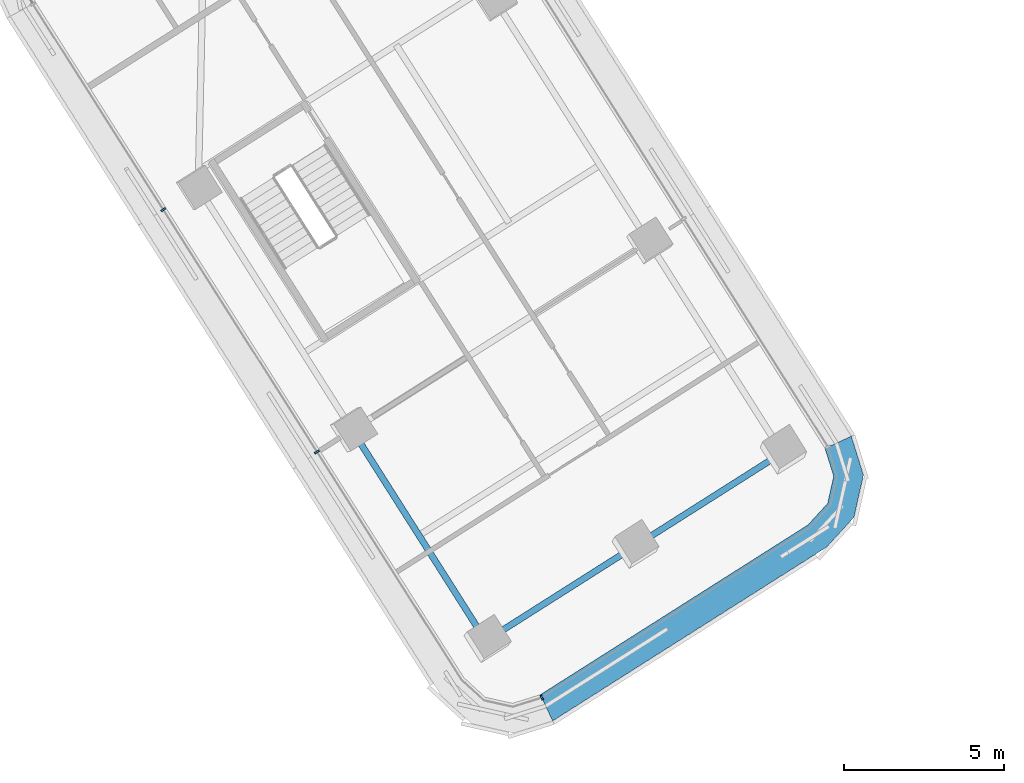
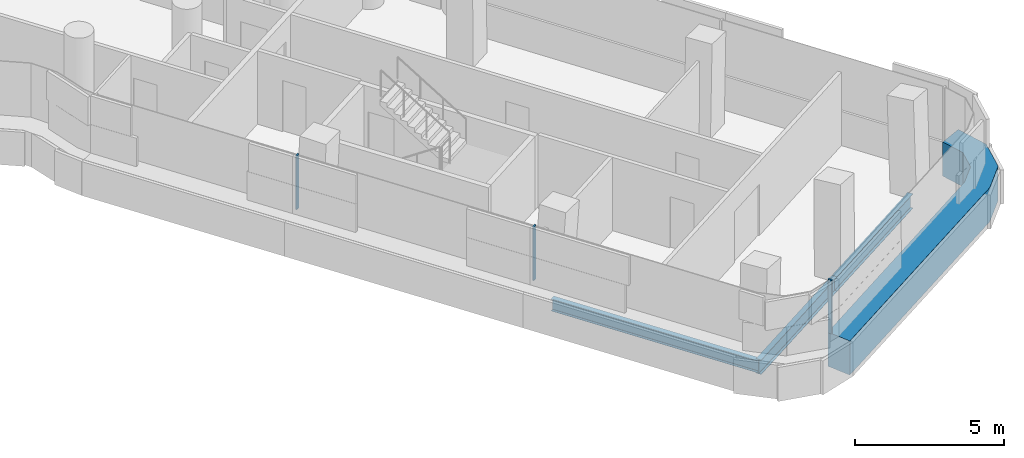
# One storey, part 3 of 36: 4 members, 3 beams, 2 elements without a shape of their own.
"""IFC4 building model written with IfcOpenShell, lengths in metres."""

from ifc_helpers import new_model, si_unit, direction, frame, origin, origin_2d, place, context, subcontext, project, spatial, polyline, rectangle, i_section, outline, extrude, material, layer, layer_set, material_profile, profile_set, type_object, element, aggregate, save


model = new_model("IFC4")

# Units and contexts
model_context = context("Model", 3, precision=1e-05, world=origin(), true_north=direction((0.0, 1.0)))
body_context = subcontext(model_context, "Body", "Model", "MODEL_VIEW")
ifc_project = project(units=[si_unit("LENGTHUNIT", "METRE"), si_unit("AREAUNIT", "SQUARE_METRE"), si_unit("VOLUMEUNIT", "CUBIC_METRE"), si_unit("PLANEANGLEUNIT", "RADIAN"), si_unit("MASSUNIT", "GRAM", prefix="KILO")], contexts=[model_context])

# Site, building, storey
site_placement = place(None, origin())
site = spatial("IfcSite", under=ifc_project, at=site_placement, CompositionType="ELEMENT")
building_placement = place(site_placement, origin())
building = spatial("IfcBuilding", under=site, at=building_placement, Name="Tamarind Cross Interchange Tower", CompositionType="ELEMENT")
storey_placement = place(building_placement, frame((0.0, 0.0, 151.75)))
storey = spatial("IfcBuildingStorey", under=building, at=storey_placement, Name="L37", CompositionType="ELEMENT", Elevation=151.75)

# Beams
ifc_material_1 = material(Name="Steel Q355B", Category="steel")
ifc_material_profile_1 = material_profile(ifc_material_1, i_section(OverallWidth=0.198974609375, OverallDepth=0.49609375, WebThickness=0.009033203125, FlangeThickness=0.013916015625, FilletRadius=0.012939453125, at=origin_2d()), Name="HN 496x199x9x14")
ifc_profile_set_1 = profile_set([ifc_material_profile_1], Name="Steel Q355B")
beam_type_1 = type_object("IfcBeamType", Name="Composite beam HN 496x199x9x14 Q355B", PredefinedType="BEAM", material=ifc_profile_set_1)
beam_1_placement = place(storey_placement, frame((8.811279296875, -46.157958984375, -0.387939453125), z_axis=(-0.53567290687, 0.844425566196, 0.0), x_axis=(-0.844425566196, -0.53567290687, 0.0)))
element("IfcBeam", 1, at=beam_1_placement, inside=storey, type_object=beam_type_1, Name="Beam S-edgeem5", PredefinedType="BEAM", context=body_context, shape_type="SweptSolid", body=[
    extrude(i_section(OverallWidth=0.198974609375, OverallDepth=0.49609375, WebThickness=0.009033203125, FlangeThickness=0.013916015625, FilletRadius=0.012939453125, at=origin_2d()), origin(), (0.0, 0.0, 1.0), 7.819580078125),
])
ifc_material_profile_2 = material_profile(ifc_material_1, i_section(OverallWidth=0.199951171875, OverallDepth=0.60009765625, WebThickness=0.010986328125, FlangeThickness=0.01708984375, FilletRadius=0.012939453125, at=origin_2d()), Name="HN 600x200x11x17")
ifc_profile_set_2 = profile_set([ifc_material_profile_2], Name="Steel Q355B")
beam_type_2 = type_object("IfcBeamType", Name="Composite beam HN 600x200x11x17 Q355B", PredefinedType="BEAM", material=ifc_profile_set_2)
beam_2_placement = place(storey_placement, frame((8.811279296875, -46.157958984375, -0.43994140625), z_axis=(0.844435610152, 0.535657073422, 0.0), x_axis=(-0.535657073422, 0.844435610152, 0.0)))
element("IfcBeam", 2, at=beam_2_placement, inside=storey, type_object=beam_type_2, Name="Beam S-tip0", PredefinedType="BEAM", context=body_context, shape_type="SweptSolid", body=[
    extrude(i_section(OverallWidth=0.199951171875, OverallDepth=0.60009765625, WebThickness=0.010986328125, FlangeThickness=0.01708984375, FilletRadius=0.012939453125, at=origin_2d()), origin(), (0.0, 0.0, 1.0), 5.499755859375),
])
beam_3_placement = place(storey_placement, frame((13.45556640625, -43.2119140625, -0.43994140625), z_axis=(0.844448346262, 0.535636995077, 0.0), x_axis=(-0.535636995077, 0.844448346262, 0.0)))
element("IfcBeam", 3, at=beam_3_placement, inside=storey, type_object=beam_type_2, Name="Beam S-tip1", PredefinedType="BEAM", context=body_context, shape_type="SweptSolid", body=[
    extrude(i_section(OverallWidth=0.199951171875, OverallDepth=0.60009765625, WebThickness=0.010986328125, FlangeThickness=0.01708984375, FilletRadius=0.012939453125, at=origin_2d()), origin(), (0.0, 0.0, 1.0), 5.5),
])

# Curtain wall, member
ifc_material_2 = material(Name="Aluminium 6063-T6", Category="aluminium")
ifc_layer = layer(ifc_material_2, 0.159912109375)
ifc_layer_set = layer_set([ifc_layer], Name="Aluminium 6063-T6")
curtain_wall_type = type_object("IfcCurtainWallType", Name="Office curtain wall, 9.0 m bays", PredefinedType="NOTDEFINED", material=ifc_layer_set)
curtain_wall_1_placement = place(storey_placement, origin())
curtain_wall_1 = element("IfcCurtainWall", 4, at=curtain_wall_1_placement, inside=storey, type_object=curtain_wall_type, Name="CWS-L37-08", PredefinedType="NOTDEFINED")
ifc_material_3 = material(Name="Aluminium and insulated spandrel panel", Category="aluminium")
member_type_1 = type_object("IfcMemberType", Name="Floor-edge blade transom", PredefinedType="USERDEFINED", material=ifc_material_3)
member_1_placement = place(storey_placement, origin())
member_1 = element("IfcMember", 5, at=member_1_placement, type_object=member_type_1, Name="CWT-L37-08", ObjectType="TRANSOM", PredefinedType="USERDEFINED", context=body_context, shape_type="SweptSolid", body=[
    extrude(outline(polyline([(10.520263671875, -47.844970703125), (18.89794921875, -42.53076171875), (19.517578125, -41.85693359375), (19.70849609375, -41.003662109375), (19.43505859375, -40.1298828125), (20.2587890625, -39.74853515625), (20.6396484375, -40.96484375), (20.34326171875, -42.288818359375), (19.47998046875, -43.227294921875), (10.90234375, -48.66845703125), (10.520263671875, -47.844970703125)])), origin(), (0.0, 0.0, 1.0), 1.39990234375),
])

# Curtain wall, members
curtain_wall_2_placement = place(storey_placement, origin())
curtain_wall_2 = element("IfcCurtainWall", 6, at=curtain_wall_2_placement, inside=storey, type_object=curtain_wall_type, Name="CWS-L37-07", PredefinedType="NOTDEFINED")
ifc_material_profile_3 = material_profile(ifc_material_2, rectangle(XDim=0.06005859375, YDim=0.159912109375, at=origin_2d()), Name="Mullion CW1")
ifc_profile_set_3 = profile_set([ifc_material_profile_3], Name="Aluminium 6063-T6")
member_type_2 = type_object("IfcMemberType", Name="Mullion CW1", PredefinedType="MULLION", material=ifc_profile_set_3)
member_2_placement = place(storey_placement, frame((-1.295654296875, -32.652099609375, 1.39990234375), z_axis=(0.0, 0.0, 1.0), x_axis=(0.535661738157, -0.844432651118, 0.0)))
member_2 = element("IfcMember", 7, at=member_2_placement, type_object=member_type_2, Name="CWM-L37-07-01", PredefinedType="MULLION", context=body_context, shape_type="SweptSolid", body=[
    extrude(rectangle(XDim=0.06005859375, YDim=0.159912109375, at=origin_2d()), origin(), (0.0, 0.0, 1.0), 2.210205078125),
])
member_3_placement = place(storey_placement, frame((3.517822265625, -40.240234375, 1.39990234375), z_axis=(0.0, 0.0, 1.0), x_axis=(0.535661738157, -0.844432651118, 0.0)))
member_3 = element("IfcMember", 8, at=member_3_placement, type_object=member_type_2, Name="CWM-L37-07-02", PredefinedType="MULLION", context=body_context, shape_type="SweptSolid", body=[
    extrude(rectangle(XDim=0.06005859375, YDim=0.159912109375, at=origin_2d()), origin(), (0.0, 0.0, 1.0), 2.210205078125),
])
aggregate(curtain_wall_2, [member_2, member_3])

# Member
member_4_placement = place(storey_placement, frame((10.562744140625, -47.9365234375, 1.39990234375), z_axis=(0.0, 0.0, 1.0), x_axis=(0.907126299727, 0.420858499194, 0.0)))
member_4 = element("IfcMember", 9, at=member_4_placement, type_object=member_type_2, Name="CWM-L37-08-00", PredefinedType="MULLION", context=body_context, shape_type="SweptSolid", body=[
    extrude(rectangle(XDim=0.06005859375, YDim=0.159912109375, at=origin_2d()), origin(), (0.0, 0.0, 1.0), 2.210205078125),
])

aggregate(curtain_wall_1, [member_4, member_1])

save(model, "model.ifc")
